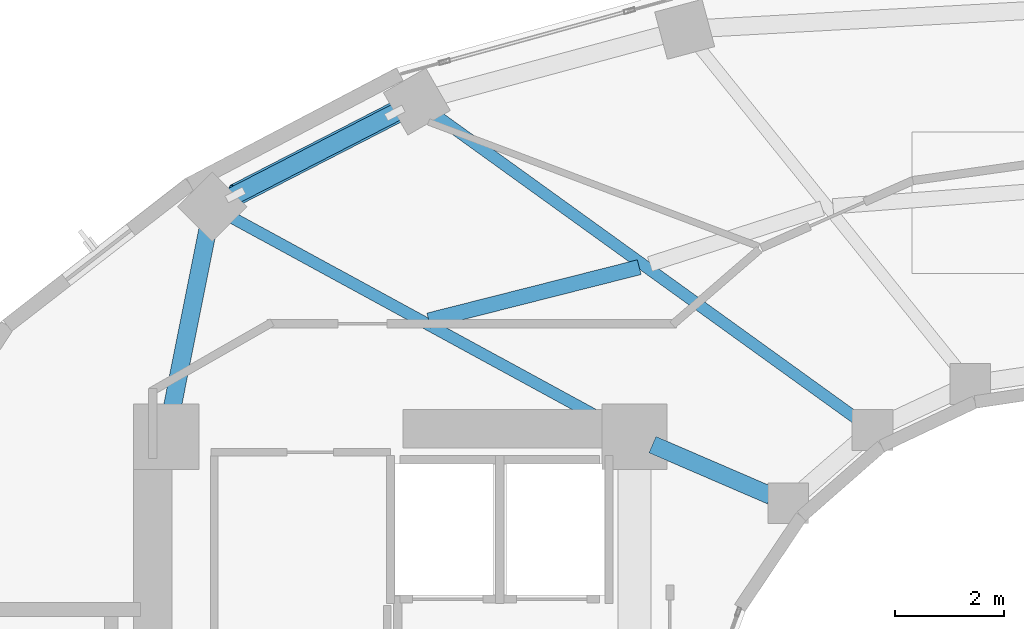
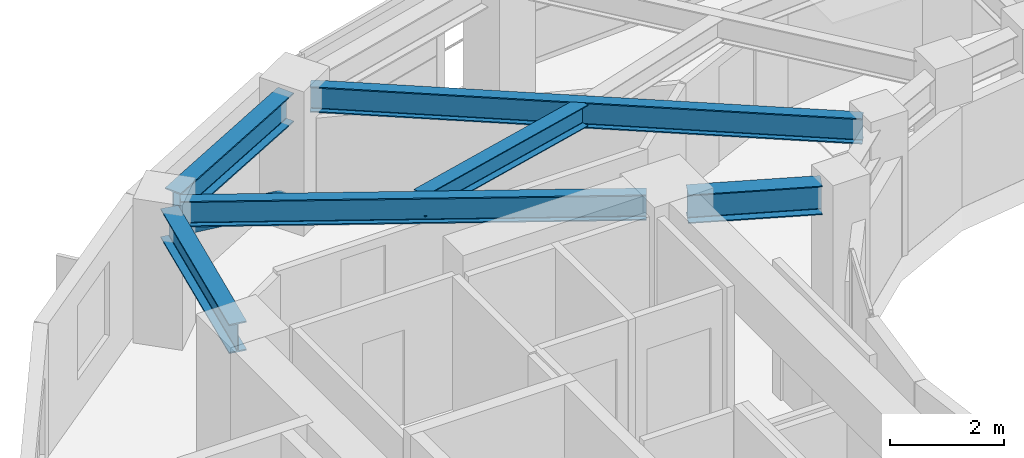
# One storey, part 7 of 20: 6 beams, 1 member.
"""IFC4 building model written with IfcOpenShell, lengths in metres."""

from ifc_helpers import new_model, si_unit, direction, frame, origin, origin_2d, place, context, subcontext, project, spatial, hollow_circle, i_section, extrude, material, material_profile, profile_set, type_object, element, save


model = new_model("IFC4")

# Units and contexts
model_context = context("Model", 3, precision=1e-05, world=origin(), true_north=direction((0.0, 1.0)))
body_context = subcontext(model_context, "Body", "Model", "MODEL_VIEW")
ifc_project = project(units=[si_unit("LENGTHUNIT", "METRE"), si_unit("AREAUNIT", "SQUARE_METRE"), si_unit("VOLUMEUNIT", "CUBIC_METRE"), si_unit("PLANEANGLEUNIT", "RADIAN"), si_unit("MASSUNIT", "GRAM", prefix="KILO")], contexts=[model_context])

# Site, building, storey
site_placement = place(None, origin())
site = spatial("IfcSite", under=ifc_project, at=site_placement, CompositionType="ELEMENT")
building_placement = place(site_placement, origin())
building = spatial("IfcBuilding", under=site, at=building_placement, Name="Solvane Sanctuary Tower", CompositionType="ELEMENT")
storey_placement = place(building_placement, frame((0.0, 0.0, 137.39990234375)))
storey = spatial("IfcBuildingStorey", under=building, at=storey_placement, Name="L41", CompositionType="ELEMENT", Elevation=137.39990234375)

# Beams
ifc_material = material(Name="Steel ASTM A992 Grade 50", Category="steel")
ifc_material_profile_1 = material_profile(ifc_material, i_section(OverallWidth=0.214111328125, OverallDepth=0.549072265625, WebThickness=0.0146484375, FlangeThickness=0.023681640625, FilletRadius=0.014892578125, at=origin_2d()), Name="W21X93")
ifc_profile_set_1 = profile_set([ifc_material_profile_1], Name="Steel ASTM A992 Grade 50")
beam_type_1 = type_object("IfcBeamType", Name="Beam B-RAD-Z3 W21X93", PredefinedType="JOIST", material=ifc_profile_set_1)
beam_1_placement = place(storey_placement, frame((28.04296875, 30.490234375, 2.603515625), z_axis=(-0.811184384633, 0.584790470277, 0.0), x_axis=(-0.584790470277, -0.811184384633, 0.0)))
element("IfcBeam", 1, at=beam_1_placement, inside=storey, type_object=beam_type_1, Name="L41 Radial Composite Floor Beam 06", PredefinedType="JOIST", context=body_context, shape_type="SweptSolid", body=[
    extrude(i_section(OverallWidth=0.214111328125, OverallDepth=0.549072265625, WebThickness=0.0146484375, FlangeThickness=0.023681640625, FilletRadius=0.014892578125, at=origin_2d()), origin(), (0.0, 0.0, 1.0), 9.756103515625),
])
beam_2_placement = place(storey_placement, frame((23.583984375, 30.372314453125, 2.603515625), z_axis=(-0.878108435277, 0.478461676516, 0.0), x_axis=(-0.478461676516, -0.878108435277, 0.0)))
element("IfcBeam", 2, at=beam_2_placement, inside=storey, type_object=beam_type_1, Name="L41 Radial Composite Floor Beam 07", PredefinedType="JOIST", context=body_context, shape_type="SweptSolid", body=[
    extrude(i_section(OverallWidth=0.214111328125, OverallDepth=0.549072265625, WebThickness=0.0146484375, FlangeThickness=0.023681640625, FilletRadius=0.014892578125, at=origin_2d()), origin(), (0.0, 0.0, 1.0), 8.193359375),
])
ifc_material_profile_2 = material_profile(ifc_material, i_section(OverallWidth=0.324951171875, OverallDepth=0.615966796875, WebThickness=0.013916015625, FlangeThickness=0.021484375, FilletRadius=0.01611328125, at=origin_2d()), Name="W24X117")
ifc_profile_set_2 = profile_set([ifc_material_profile_2], Name="Steel ASTM A992 Grade 50")
beam_type_2 = type_object("IfcBeamType", Name="Beam B-RING-IN2 W24X117", PredefinedType="BEAM", material=ifc_profile_set_2)
beam_3_placement = place(storey_placement, frame((24.230712890625, 30.0576171875, 2.570068359375), z_axis=(0.918264067649, -0.395968561966, 0.0), x_axis=(0.395968561966, 0.918264067649, 0.0)))
element("IfcBeam", 3, at=beam_3_placement, inside=storey, type_object=beam_type_2, Name="L41 Inner Light-Well Ring Beam CW3-IC07", PredefinedType="BEAM", context=body_context, shape_type="SweptSolid", body=[
    extrude(i_section(OverallWidth=0.324951171875, OverallDepth=0.615966796875, WebThickness=0.013916015625, FlangeThickness=0.021484375, FilletRadius=0.01611328125, at=origin_2d()), origin(), (0.0, 0.0, 1.0), 2.371337890625),
])
ifc_material_profile_3 = material_profile(ifc_material, i_section(OverallWidth=0.280029296875, OverallDepth=0.462890625, WebThickness=0.0107421875, FlangeThickness=0.017333984375, FilletRadius=0.013916015625, at=origin_2d()), Name="W18X76")
ifc_profile_set_3 = profile_set([ifc_material_profile_3], Name="Steel ASTM A992 Grade 50")
beam_type_3 = type_object("IfcBeamType", Name="Beam B-SEC-JOIST W18X76", PredefinedType="JOIST", material=ifc_profile_set_3)
beam_4_placement = place(storey_placement, frame((20.12060546875, 32.33837890625, 2.646484375), z_axis=(0.969378020231, 0.245573316737, 0.0), x_axis=(-0.245573316737, 0.969378020231, 0.0)))
element("IfcBeam", 4, at=beam_4_placement, inside=storey, type_object=beam_type_3, Name="L41 Secondary Circumferential Joist 07-06", PredefinedType="JOIST", context=body_context, shape_type="SweptSolid", body=[
    extrude(i_section(OverallWidth=0.280029296875, OverallDepth=0.462890625, WebThickness=0.0107421875, FlangeThickness=0.017333984375, FilletRadius=0.013916015625, at=origin_2d()), origin(), (0.0, 0.0, 1.0), 3.988525390625),
])
ifc_material_profile_4 = material_profile(ifc_material, i_section(OverallWidth=0.327880859375, OverallDepth=0.6279296875, WebThickness=0.0166015625, FlangeThickness=0.027587890625, FilletRadius=0.01611328125, at=origin_2d()), Name="W24X146")
ifc_profile_set_4 = profile_set([ifc_material_profile_4], Name="Steel ASTM A992 Grade 50")
beam_type_4 = type_object("IfcBeamType", Name="Beam B-SPAND-Z3 W24X146", PredefinedType="SPANDREL", material=ifc_profile_set_4)
beam_5_placement = place(storey_placement, frame((15.354736328125, 30.474609375, 2.564208984375), z_axis=(0.195715452505, 0.980660727087, 0.0), x_axis=(-0.980660727087, 0.195715452505, 0.0)))
element("IfcBeam", 5, at=beam_5_placement, inside=storey, type_object=beam_type_4, Name="L41 Perimeter Spandrel Beam CW4-TC07", PredefinedType="SPANDREL", context=body_context, shape_type="SweptSolid", body=[
    extrude(i_section(OverallWidth=0.327880859375, OverallDepth=0.6279296875, WebThickness=0.0166015625, FlangeThickness=0.027587890625, FilletRadius=0.01611328125, at=origin_2d()), origin(), (0.0, 0.0, 1.0), 3.749755859375),
])
beam_6_placement = place(storey_placement, frame((16.392333984375, 34.554443359375, 2.564208984375), z_axis=(0.889295540094, 0.457332966632, 0.0), x_axis=(-0.457332966632, 0.889295540094, 0.0)))
element("IfcBeam", 6, at=beam_6_placement, inside=storey, type_object=beam_type_4, Name="L41 Perimeter Spandrel Beam TC07-TC06", PredefinedType="SPANDREL", context=body_context, shape_type="SweptSolid", body=[
    extrude(i_section(OverallWidth=0.327880859375, OverallDepth=0.6279296875, WebThickness=0.0166015625, FlangeThickness=0.027587890625, FilletRadius=0.01611328125, at=origin_2d()), origin(), (0.0, 0.0, 1.0), 3.66650390625),
])

# Member
ifc_material_profile_5 = material_profile(ifc_material, hollow_circle(Radius=0.202880859375, WallThickness=0.012451171875, at=origin_2d()), Name="CHS406X12.5")
ifc_profile_set_5 = profile_set([ifc_material_profile_5], Name="Steel ASTM A992 Grade 50")
member_type = type_object("IfcMemberType", Name="Member M-TUBE-Z3 CHS406X12.5", PredefinedType="BRACE", material=ifc_profile_set_5)
member_placement = place(storey_placement, frame((19.4931640625, 36.149169921875, 0.58349609375), z_axis=(-0.813229340921, -0.418236115998, 0.404643782036), x_axis=(0.457351371069, -0.889286075108, 0.0)))
element("IfcMember", 7, at=member_placement, inside=storey, type_object=member_type, Name="L41 Perimeter Braced-Tube Diagonal NW", PredefinedType="BRACE", context=body_context, shape_type="SweptSolid", body=[
    extrude(hollow_circle(Radius=0.202880859375, WallThickness=0.012451171875, at=origin_2d()), origin(), (0.0, 0.0, 1.0), 3.59228515625),
])

save(model, "model.ifc")
